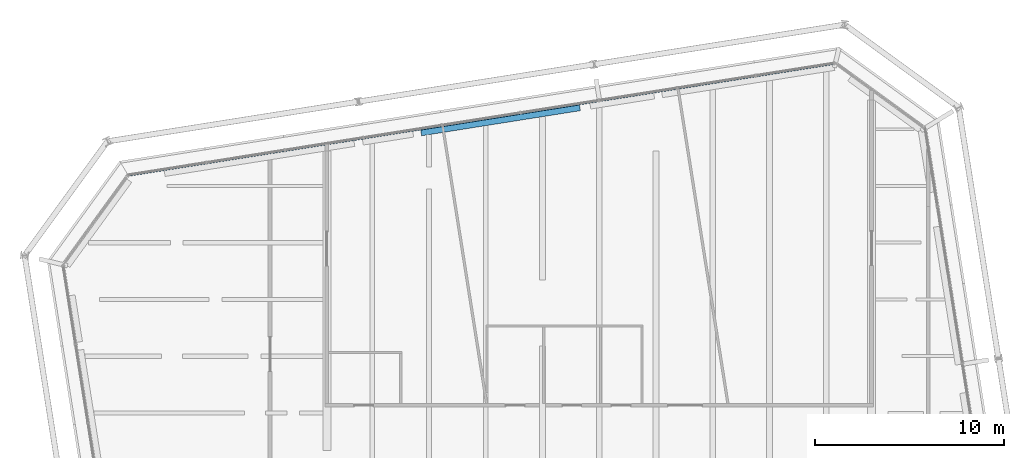
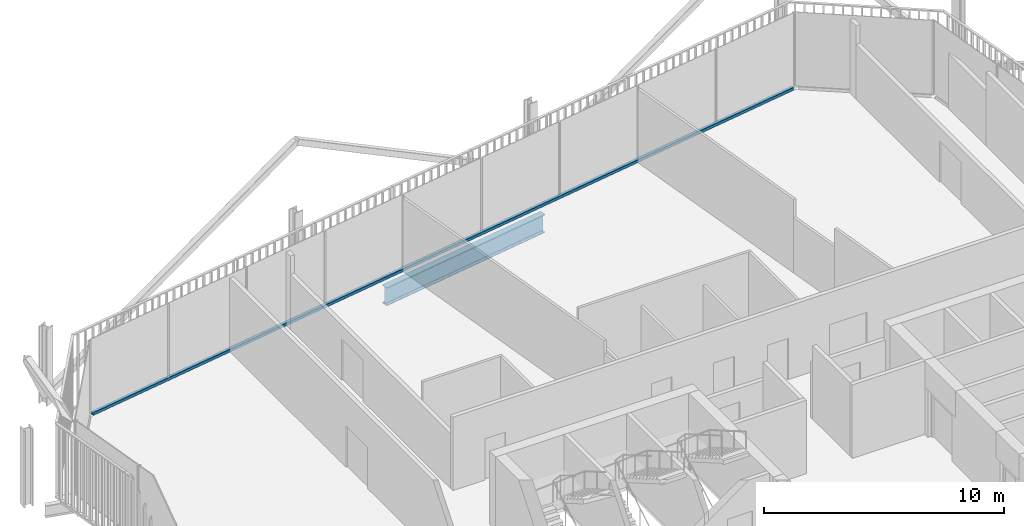
# One storey, part 13 of 20: 1 beam, 1 member, 1 element without a shape of its own.
"""IFC4 building model written with IfcOpenShell, lengths in metres."""

from ifc_helpers import new_model, si_unit, direction, frame, origin, origin_2d, place, context, subcontext, project, spatial, rectangle, i_section, extrude, material, layer, layer_set, material_profile, profile_set, type_object, element, aggregate, save


model = new_model("IFC4")

# Units and contexts
model_context = context("Model", 3, precision=1e-05, world=origin(), true_north=direction((0.0, 1.0)))
body_context = subcontext(model_context, "Body", "Model", "MODEL_VIEW")
ifc_project = project(units=[si_unit("LENGTHUNIT", "METRE"), si_unit("AREAUNIT", "SQUARE_METRE"), si_unit("VOLUMEUNIT", "CUBIC_METRE"), si_unit("PLANEANGLEUNIT", "RADIAN"), si_unit("MASSUNIT", "GRAM", prefix="KILO")], contexts=[model_context])

# Site, building, storey
site_placement = place(None, origin())
site = spatial("IfcSite", under=ifc_project, at=site_placement, CompositionType="ELEMENT")
building_placement = place(site_placement, origin())
building = spatial("IfcBuilding", under=site, at=building_placement, Name="Millrace Tower", CompositionType="ELEMENT")
storey_placement = place(building_placement, frame((0.0, 0.0, 204.699951171875)))
storey = spatial("IfcBuildingStorey", under=building, at=storey_placement, Name="L46", CompositionType="ELEMENT", Elevation=204.699951171875)

# Curtain wall, member
ifc_material_1 = material(Name="Aluminium and glass", Category="aluminium")
ifc_layer = layer(ifc_material_1, 0.14990234375)
ifc_layer_set = layer_set([ifc_layer], Name="Aluminium and glass")
curtain_wall_type = type_object("IfcCurtainWallType", Name="CW-1 office vision curtain wall", PredefinedType="NOTDEFINED", material=ifc_layer_set)
curtain_wall_placement = place(storey_placement, origin())
curtain_wall = element("IfcCurtainWall", 1, at=curtain_wall_placement, inside=storey, type_object=curtain_wall_type, Name="Curtain wall D-F06 L46", PredefinedType="NOTDEFINED")
ifc_material_2 = material(Name="Aluminium", Category="aluminium")
ifc_material_profile_1 = material_profile(ifc_material_2, rectangle(XDim=0.14990234375, YDim=0.139892578125, at=origin_2d()))
ifc_profile_set_1 = profile_set([ifc_material_profile_1], Name="Aluminium")
member_type = type_object("IfcMemberType", Name="CW-1 office vision curtain wall transom", PredefinedType="USERDEFINED", material=ifc_profile_set_1)
member_placement = place(storey_placement, frame((12.35888671875, 30.48193359375, 0.070068359375), z_axis=(-0.987687829698, -0.156437690685, 0.0), x_axis=(0.156437690685, -0.987687829698, 0.0)))
member = element("IfcMember", 2, at=member_placement, type_object=member_type, Name="CW1 transom D-F06.1", ObjectType="TRANSOM", PredefinedType="USERDEFINED", context=body_context, shape_type="SweptSolid", body=[
    extrude(rectangle(XDim=0.14990234375, YDim=0.139892578125, at=origin_2d()), origin(), (0.0, 0.0, 1.0), 37.60009765625),
])
aggregate(curtain_wall, [member])

# Beam
ifc_material_3 = material(Name="Steel ASTM A992 Grade 50", Category="steel")
ifc_material_profile_2 = material_profile(ifc_material_3, i_section(OverallWidth=0.307373046875, OverallDepth=0.927001953125, WebThickness=0.01953125, FlangeThickness=0.031982421875, FilletRadius=0.01904296875, at=origin_2d()))
ifc_profile_set_2 = profile_set([ifc_material_profile_2], Name="Steel ASTM A992 Grade 50")
beam_type = type_object("IfcBeamType", Name="Ring beam short span W36x194", PredefinedType="SPANDREL", material=ifc_profile_set_2)
beam_placement = place(storey_placement, frame((-9.414306640625, 26.8017578125, -0.62353515625), z_axis=(0.987689040216, 0.156430047745, 0.0), x_axis=(-0.156430047745, 0.987689040216, 0.0)))
element("IfcBeam", 3, at=beam_placement, inside=storey, type_object=beam_type, Name="RNG-D-L46-S1-06-b", PredefinedType="SPANDREL", context=body_context, shape_type="SweptSolid", body=[
    extrude(i_section(OverallWidth=0.307373046875, OverallDepth=0.927001953125, WebThickness=0.01953125, FlangeThickness=0.031982421875, FilletRadius=0.01904296875, at=origin_2d()), origin(), (0.0, 0.0, 1.0), 8.501220703125),
])

save(model, "model.ifc")
